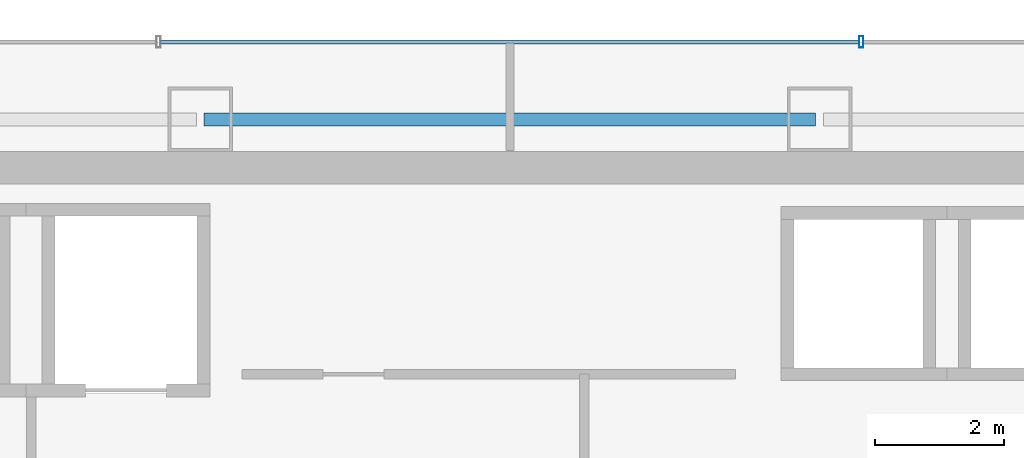
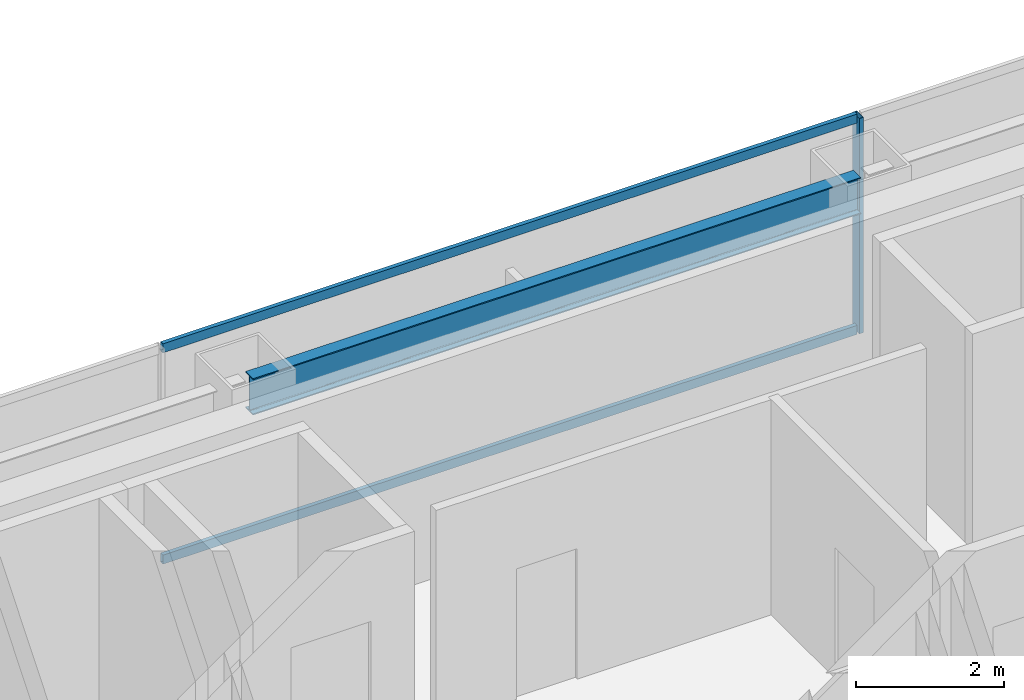
# One storey, part 24 of 36: 3 members, 1 beam, 1 element without a shape of its own.
"""IFC4 building model written with IfcOpenShell, lengths in metres."""

from ifc_helpers import new_model, si_unit, direction, frame, origin, origin_2d, place, context, subcontext, project, spatial, hollow_rectangle, i_section, extrude, material, material_profile, profile_set, type_object, element, aggregate, save


model = new_model("IFC4")

# Units and contexts
model_context = context("Model", 3, precision=1e-05, world=origin(), true_north=direction((0.0, 1.0)))
body_context = subcontext(model_context, "Body", "Model", "MODEL_VIEW")
ifc_project = project(units=[si_unit("LENGTHUNIT", "METRE"), si_unit("AREAUNIT", "SQUARE_METRE"), si_unit("VOLUMEUNIT", "CUBIC_METRE"), si_unit("PLANEANGLEUNIT", "RADIAN"), si_unit("MASSUNIT", "GRAM", prefix="KILO")], contexts=[model_context])

# Site, building, storey
site_placement = place(None, origin())
site = spatial("IfcSite", under=ifc_project, at=site_placement, CompositionType="ELEMENT")
building_placement = place(site_placement, origin())
building = spatial("IfcBuilding", under=site, at=building_placement, Name="Saevonmaru Cultural Tower", CompositionType="ELEMENT")
storey_placement = place(building_placement, frame((0.0, 0.0, 171.39990234375)))
storey = spatial("IfcBuildingStorey", under=building, at=storey_placement, Name="L38", CompositionType="ELEMENT", Elevation=171.39990234375)

# Beam
ifc_material_1 = material(Name="Steel SM355", Category="steel")
ifc_material_profile_1 = material_profile(ifc_material_1, i_section(OverallWidth=0.199951171875, OverallDepth=0.60009765625, WebThickness=0.010986328125, FlangeThickness=0.01708984375, FilletRadius=0.02197265625, at=origin_2d()), Name="H-600x200x11x17")
ifc_profile_set_1 = profile_set([ifc_material_profile_1], Name="Steel SM355")
beam_type = type_object("IfcBeamType", Name="BM-SP-H600", PredefinedType="SPANDREL", material=ifc_profile_set_1)
beam_placement = place(storey_placement, frame((25.260009765625, 54.800048828125, 3.25), z_axis=(1.0, 0.0, 0.0), x_axis=(0.0, 1.0, 0.0)))
element("IfcBeam", 1, at=beam_placement, inside=storey, type_object=beam_type, Name="L38 North Spine Girder 3", PredefinedType="SPANDREL", context=body_context, shape_type="SweptSolid", body=[
    extrude(i_section(OverallWidth=0.199951171875, OverallDepth=0.60009765625, WebThickness=0.010986328125, FlangeThickness=0.01708984375, FilletRadius=0.02197265625, at=origin_2d()), origin(), (0.0, 0.0, 1.0), 9.47998046875),
])

# Curtain wall, members
ifc_material_2 = material(Name="Satin Bronze Anodised Aluminium", Category="aluminium")
curtain_wall_type = type_object("IfcCurtainWallType", Name="CW-TYP-A", PredefinedType="NOTDEFINED", material=ifc_material_2)
curtain_wall_placement = place(storey_placement, origin())
curtain_wall = element("IfcCurtainWall", 2, at=curtain_wall_placement, inside=storey, type_object=curtain_wall_type, Name="L38 North Spine Unitised Curtain Wall E10B", PredefinedType="NOTDEFINED")
ifc_material_profile_2 = material_profile(ifc_material_2, hollow_rectangle(XDim=0.06494140625, YDim=0.179931640625, WallThickness=0.00390625, at=origin_2d()), Name="ALU-MULL-180x65x4")
ifc_profile_set_2 = profile_set([ifc_material_profile_2], Name="Satin Bronze Anodised Aluminium")
member_type_1 = type_object("IfcMemberType", Name="ML-CW-180x65", PredefinedType="MULLION", material=ifc_profile_set_2)
member_1_placement = place(storey_placement, frame((35.44677734375, 56.0, 0.0), z_axis=(0.0, 0.0, 1.0), x_axis=(-1.0, 0.0, 0.0)))
member_1 = element("IfcMember", 3, at=member_1_placement, type_object=member_type_1, Name="CW-TW-L38-E10B mullion 2", PredefinedType="MULLION", context=body_context, shape_type="SweptSolid", body=[
    extrude(hollow_rectangle(XDim=0.06494140625, YDim=0.179931640625, WallThickness=0.00390625, at=origin_2d()), origin(), (0.0, 0.0, 1.0), 3.550048828125),
])
ifc_material_profile_3 = material_profile(ifc_material_2, hollow_rectangle(XDim=0.06494140625, YDim=0.14990234375, WallThickness=0.00390625, at=origin_2d()), Name="ALU-TRAN-150x65x4")
ifc_profile_set_3 = profile_set([ifc_material_profile_3], Name="Satin Bronze Anodised Aluminium")
member_type_2 = type_object("IfcMemberType", Name="TR-CW-150x65", PredefinedType="USERDEFINED", material=ifc_profile_set_3)
member_2_placement = place(storey_placement, frame((35.4140625, 56.0, 0.03271484375), z_axis=(-1.0, 0.0, 0.0), x_axis=(0.0, -1.0, 0.0)))
member_2 = element("IfcMember", 4, at=member_2_placement, type_object=member_type_2, Name="CW-TW-L38-E10B transom 2.1", ObjectType="TRANSOM", PredefinedType="USERDEFINED", context=body_context, shape_type="SweptSolid", body=[
    extrude(hollow_rectangle(XDim=0.06494140625, YDim=0.14990234375, WallThickness=0.00390625, at=origin_2d()), origin(), (0.0, 0.0, 1.0), 10.828125),
])
member_3_placement = place(storey_placement, frame((35.4140625, 56.0, 3.517578125), z_axis=(-1.0, 0.0, 0.0), x_axis=(0.0, -1.0, 0.0)))
member_3 = element("IfcMember", 5, at=member_3_placement, type_object=member_type_2, Name="CW-TW-L38-E10B transom 2.2", ObjectType="TRANSOM", PredefinedType="USERDEFINED", context=body_context, shape_type="SweptSolid", body=[
    extrude(hollow_rectangle(XDim=0.06494140625, YDim=0.14990234375, WallThickness=0.00390625, at=origin_2d()), origin(), (0.0, 0.0, 1.0), 10.828125),
])
aggregate(curtain_wall, [member_1, member_2, member_3])

save(model, "model.ifc")
